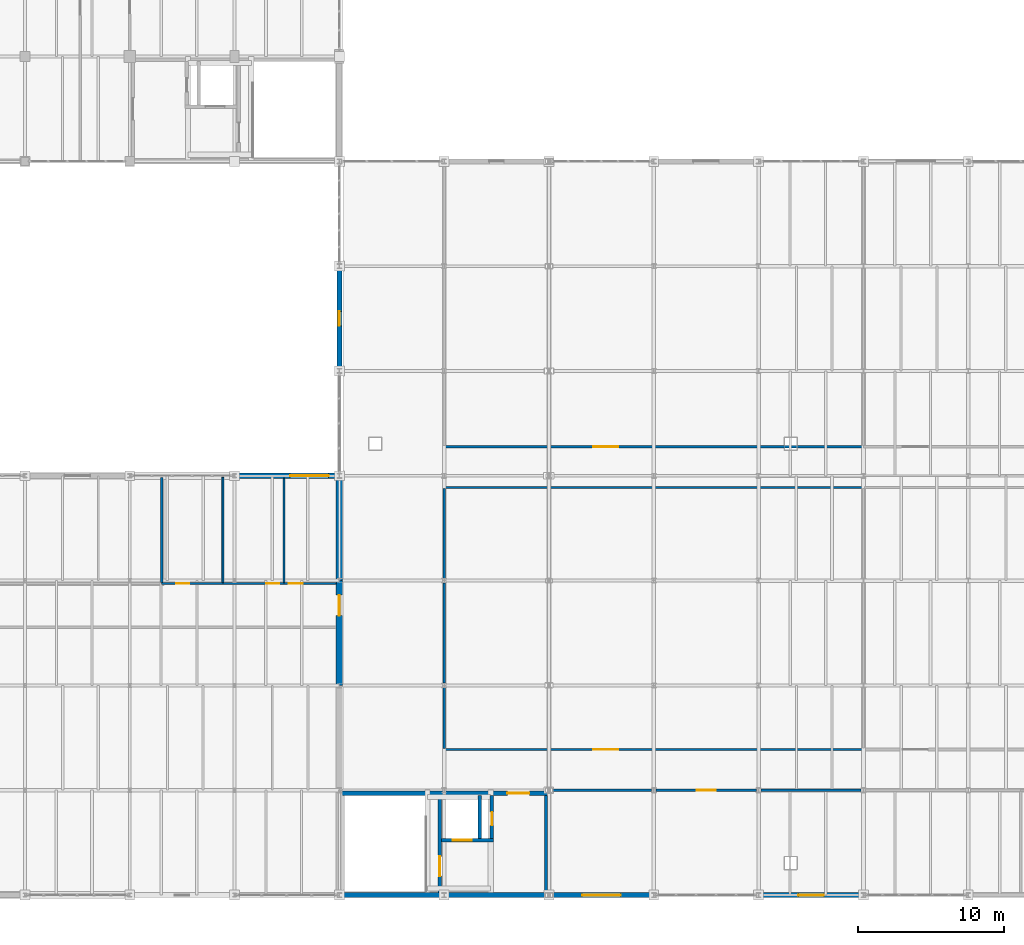
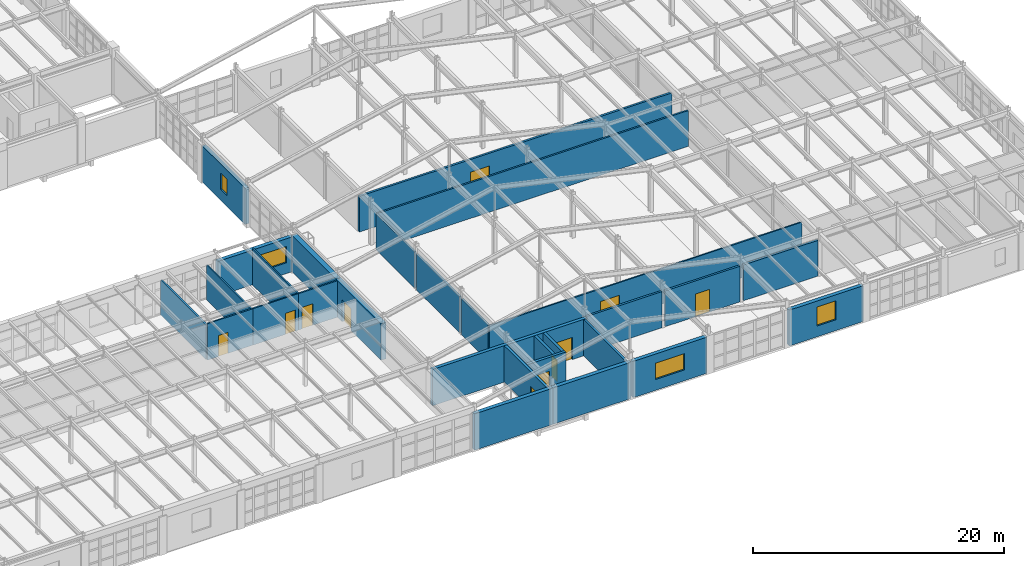
# One storey, part 129 of 137: 29 walls, 11 doors, 4 windows, 15 openings.
"""IFC4 building model written with IfcOpenShell, lengths in metres."""

from ifc_helpers import new_model, si_unit, direction, frame, frame_2d, origin, place, context, subcontext, project, spatial, rectangle, extrude, material, layer, layer_set, type_object, element, fill, save


model = new_model("IFC4")

# Units and contexts
model_context = context("Model", 3, precision=1e-05, world=origin(), true_north=direction((0.0, 1.0)))
body_context = subcontext(model_context, "Body", "Model", "MODEL_VIEW")
ifc_project = project(units=[si_unit("LENGTHUNIT", "METRE"), si_unit("AREAUNIT", "SQUARE_METRE"), si_unit("VOLUMEUNIT", "CUBIC_METRE"), si_unit("PLANEANGLEUNIT", "RADIAN"), si_unit("MASSUNIT", "GRAM", prefix="KILO")], contexts=[model_context])

# Site, building, storey
site_placement = place(None, origin())
site = spatial("IfcSite", under=ifc_project, at=site_placement, CompositionType="ELEMENT")
building_placement = place(site_placement, origin())
building = spatial("IfcBuilding", under=site, at=building_placement, Name="Kemerveld Promenade Tramway Depot", CompositionType="ELEMENT")
storey_placement = place(building_placement, frame((0.0, 0.0, 5.39990234375)))
storey = spatial("IfcBuildingStorey", under=building, at=storey_placement, Name="L01", CompositionType="ELEMENT", Elevation=5.39990234375)

# Wall, opening, door
ifc_material_1 = material(Name="Concrete C40/50", Category="concrete")
ifc_layer_1 = layer(ifc_material_1, 0.25)
ifc_layer_set_1 = layer_set([ifc_layer_1], Name="WL-CORE-250")
wall_type_1 = type_object("IfcWallType", Name="WL-CORE-250", PredefinedType="SHEAR", material=ifc_layer_set_1)
wall_1_placement = place(storey_placement, frame((165.300048828125, 0.179931640625, 0.0), z_axis=(0.0, 0.0, 1.0), x_axis=(0.0, 1.0, 0.0)))
wall_1 = element("IfcWall", 1, at=wall_1_placement, inside=storey, type_object=wall_type_1, Name="WL-C5-L01-SDIV", PredefinedType="SHEAR", context=body_context, shape_type="SweptSolid", body=[
    extrude(rectangle(XDim=6.670166015625, YDim=0.25, at=frame_2d((3.3349609375, 0.0))), origin(), (0.0, 0.0, 1.0), 3.550048828125),
])
opening_1_placement = place(wall_1_placement, frame((1.1201171875, 0.0, 0.0)))
opening_1 = element("IfcOpeningElement", 2, at=opening_1_placement, cuts=wall_1, Name="Opening D-573", PredefinedType="OPENING", context=body_context, shape_type="SweptSolid", body=[
    extrude(rectangle(XDim=1.35009765625, YDim=2.14990234375, at=frame_2d((0.675048828125, 1.074951171875))), frame((0.0, 0.135009765625, 0.0), z_axis=(0.0, -1.0, 0.0), x_axis=(1.0, 0.0, 0.0)), (0.0, 0.0, 1.0), 0.27001953125),
])
ifc_material_2 = material(Name="Galvanised steel fire stair door", Category="steel")
door_type_1 = type_object("IfcDoorType", Name="DR-FD120", OperationType="NOTDEFINED", PredefinedType="DOOR", material=ifc_material_2)
door_1_placement = place(opening_1_placement, origin())
door_1 = element("IfcDoor", 3, at=door_1_placement, inside=storey, type_object=door_type_1, Name="DR-C5-L01-STAIR", OperationType="SINGLE_SWING_RIGHT", OverallHeight=2.14990234375, OverallWidth=1.35009765625, PredefinedType="DOOR", context=body_context, shape_type="SweptSolid", body=[
    extrude(rectangle(XDim=1.35009765625, YDim=2.14990234375, at=frame_2d((0.675048828125, 1.074951171875))), frame((0.0, 0.02490234375, 0.0), z_axis=(0.0, -1.0, 0.0), x_axis=(1.0, 0.0, 0.0)), (0.0, 0.0, 1.0), 0.050048828125),
])
fill(opening_1, door_1)

wall_2_placement = place(storey_placement, frame((165.425048828125, 3.760009765625, 0.0), z_axis=(0.0, 0.0, 1.0), x_axis=(1.0, 0.0, 0.0)))
wall_2 = element("IfcWall", 4, at=wall_2_placement, inside=storey, type_object=wall_type_1, Name="WL-C5-L01-LSHS", PredefinedType="SHEAR", context=body_context, shape_type="SweptSolid", body=[
    extrude(rectangle(XDim=3.579833984375, YDim=0.25, at=frame_2d((1.7900390625, 0.0))), origin(), (0.0, 0.0, 1.0), 3.550048828125),
])
opening_2_placement = place(wall_2_placement, frame((0.77490234375, 0.0, 0.0)))
opening_2 = element("IfcOpeningElement", 5, at=opening_2_placement, cuts=wall_2, Name="Opening LD-574", PredefinedType="OPENING", context=body_context, shape_type="SweptSolid", body=[
    extrude(rectangle(XDim=1.300048828125, YDim=2.199951171875, at=frame_2d((0.64990234375, 1.10009765625))), frame((0.0, 0.135009765625, 0.0), z_axis=(0.0, -1.0, 0.0), x_axis=(1.0, 0.0, 0.0)), (0.0, 0.0, 1.0), 0.27001953125),
])
ifc_material_3 = material(Name="Heavy-duty goods lift sliding landing door")
door_type_2 = type_object("IfcDoorType", Name="DR-LD02", OperationType="SLIDING_TO_LEFT", PredefinedType="DOOR", material=ifc_material_3)
door_2_placement = place(opening_2_placement, origin())
door_2 = element("IfcDoor", 6, at=door_2_placement, inside=storey, type_object=door_type_2, Name="DR-C5-L01-LIFT", OperationType="SLIDING_TO_LEFT", OverallHeight=2.199951171875, OverallWidth=1.300048828125, PredefinedType="DOOR", context=body_context, shape_type="SweptSolid", body=[
    extrude(rectangle(XDim=1.300048828125, YDim=2.199951171875, at=frame_2d((0.64990234375, 1.10009765625))), frame((0.0, 0.02490234375, 0.0), z_axis=(0.0, -1.0, 0.0), x_axis=(1.0, 0.0, 0.0)), (0.0, 0.0, 1.0), 0.050048828125),
])
fill(opening_2, door_2)

# Wall
wall_3_placement = place(storey_placement, frame((168.050048828125, 3.885009765625, 0.0), z_axis=(0.0, 0.0, 1.0), x_axis=(0.0, 1.0, 0.0)))
element("IfcWall", 7, at=wall_3_placement, inside=storey, type_object=wall_type_1, Name="WL-C5-L01-LSHM", PredefinedType="SHEAR", context=body_context, shape_type="SweptSolid", body=[
    extrude(rectangle(XDim=2.965087890625, YDim=0.25, at=frame_2d((1.482421875, 0.0))), origin(), (0.0, 0.0, 1.0), 3.550048828125),
])

# Wall, opening, door
wall_4_placement = place(storey_placement, frame((168.8798828125, 3.885009765625, 0.0), z_axis=(0.0, 0.0, 1.0), x_axis=(0.0, 1.0, 0.0)))
wall_4 = element("IfcWall", 8, at=wall_4_placement, inside=storey, type_object=wall_type_1, Name="WL-C5-L01-LSHE", PredefinedType="SHEAR", context=body_context, shape_type="SweptSolid", body=[
    extrude(rectangle(XDim=2.965087890625, YDim=0.25, at=frame_2d((1.482421875, 0.0))), origin(), (0.0, 0.0, 1.0), 3.550048828125),
])
opening_3_placement = place(wall_4_placement, frame((0.89990234375, 0.0, 0.0)))
opening_3 = element("IfcOpeningElement", 9, at=opening_3_placement, cuts=wall_4, Name="Opening D-575", PredefinedType="OPENING", context=body_context, shape_type="SweptSolid", body=[
    extrude(rectangle(XDim=0.919921875, YDim=2.050048828125, at=frame_2d((0.4599609375, 1.02490234375))), frame((0.0, 0.135009765625, 0.0), z_axis=(0.0, -1.0, 0.0), x_axis=(1.0, 0.0, 0.0)), (0.0, 0.0, 1.0), 0.27001953125),
])
ifc_material_4 = material(Name="Steel riser shaft access fire door", Category="steel")
door_type_3 = type_object("IfcDoorType", Name="DR-RSR01", OperationType="NOTDEFINED", PredefinedType="DOOR", material=ifc_material_4)
door_3_placement = place(opening_3_placement, origin())
door_3 = element("IfcDoor", 10, at=door_3_placement, inside=storey, type_object=door_type_3, Name="DR-C5-L01-RISER", OperationType="SINGLE_SWING_LEFT", OverallHeight=2.050048828125, OverallWidth=0.919921875, PredefinedType="DOOR", context=body_context, shape_type="SweptSolid", body=[
    extrude(rectangle(XDim=0.919921875, YDim=2.050048828125, at=frame_2d((0.4599609375, 1.02490234375))), frame((0.0, 0.02490234375, 0.0), z_axis=(0.0, -1.0, 0.0), x_axis=(1.0, 0.0, 0.0)), (0.0, 0.0, 1.0), 0.050048828125),
])
fill(opening_3, door_3)

ifc_layer_2 = layer(ifc_material_1, 0.300048828125)
ifc_layer_set_2 = layer_set([ifc_layer_2], Name="WL-CORE-300")
wall_type_2 = type_object("IfcWallType", Name="WL-CORE-300", PredefinedType="SHEAR", material=ifc_layer_set_2)
wall_5_placement = place(storey_placement, frame((158.570068359375, 7.0, 0.0), z_axis=(0.0, 0.0, 1.0), x_axis=(1.0, 0.0, 0.0)))
wall_5 = element("IfcWall", 11, at=wall_5_placement, inside=storey, type_object=wall_type_2, Name="WL-C5-L01-N", PredefinedType="SHEAR", context=body_context, shape_type="SweptSolid", body=[
    extrude(rectangle(XDim=14.22998046875, YDim=0.300048828125, at=frame_2d((7.114990234375, 0.0))), origin(), (0.0, 0.0, 1.0), 3.550048828125),
])
opening_4_placement = place(wall_5_placement, frame((11.3798828125, 0.0, 0.0)))
opening_4 = element("IfcOpeningElement", 12, at=opening_4_placement, cuts=wall_5, Name="Opening D-576", PredefinedType="OPENING", context=body_context, shape_type="SweptSolid", body=[
    extrude(rectangle(XDim=1.5, YDim=2.14990234375, at=frame_2d((0.75, 1.074951171875))), frame((0.0, 0.159912109375, 0.0), z_axis=(0.0, -1.0, 0.0), x_axis=(1.0, 0.0, 0.0)), (0.0, 0.0, 1.0), 0.320068359375),
])
ifc_material_5 = material(Name="Timber-faced acoustic fire lobby door", Category="wood")
door_type_4 = type_object("IfcDoorType", Name="DR-FD60A", OperationType="NOTDEFINED", PredefinedType="DOOR", material=ifc_material_5)
door_4_placement = place(opening_4_placement, origin())
door_4 = element("IfcDoor", 13, at=door_4_placement, inside=storey, type_object=door_type_4, Name="DR-C5-L01-LOBBY", OperationType="SINGLE_SWING_RIGHT", OverallHeight=2.14990234375, OverallWidth=1.5, PredefinedType="DOOR", context=body_context, shape_type="SweptSolid", body=[
    extrude(rectangle(XDim=1.5, YDim=2.14990234375, at=frame_2d((0.75, 1.074951171875))), frame((0.0, 0.02490234375, 0.0), z_axis=(0.0, -1.0, 0.0), x_axis=(1.0, 0.0, 0.0)), (0.0, 0.0, 1.0), 0.050048828125),
])
fill(opening_4, door_4)

# Wall, opening, window
ifc_material_6 = material(Name="Banded granite and red-ochre clay brick masonry", Category="masonry")
ifc_layer_3 = layer(ifc_material_6, 0.35009765625)
ifc_layer_set_3 = layer_set([ifc_layer_3], Name="WL-EXT-350")
wall_type_3 = type_object("IfcWallType", Name="WL-EXT-350", PredefinedType="SOLIDWALL", material=ifc_layer_set_3)
wall_6_placement = place(storey_placement, frame((151.35009765625, 28.800048828125, 0.0), z_axis=(0.0, 0.0, 1.0), x_axis=(1.0, 0.0, 0.0)))
wall_6 = element("IfcWall", 14, at=wall_6_placement, inside=storey, type_object=wall_type_3, Name="WL-L01-V4N-14", PredefinedType="SOLIDWALL", context=body_context, shape_type="SweptSolid", body=[
    extrude(rectangle(XDim=6.872802734375, YDim=0.35009765625, at=frame_2d((3.4365234375, 0.0))), origin(), (0.0, 0.0, 1.0), 3.39013671875),
])
opening_5_placement = place(wall_6_placement, frame((3.660888671875, 0.0, 1.050048828125)))
opening_5 = element("IfcOpeningElement", 15, at=opening_5_placement, cuts=wall_6, Name="Opening W-169", PredefinedType="OPENING", context=body_context, shape_type="SweptSolid", body=[
    extrude(rectangle(XDim=2.64990234375, YDim=1.60009765625, at=frame_2d((1.324951171875, 0.800048828125))), frame((0.0, 0.18505859375, 0.0), z_axis=(0.0, -1.0, 0.0), x_axis=(1.0, 0.0, 0.0)), (0.0, 0.0, 1.0), 0.3701171875),
])
ifc_material_7 = material(Name="Bronze anodised aluminium and low-e glass", Category="aluminium")
window_type_1 = type_object("IfcWindowType", Name="WN-40", PartitioningType="SINGLE_PANEL", PredefinedType="WINDOW", material=ifc_material_7)
window_1_placement = place(opening_5_placement, origin())
window_1 = element("IfcWindow", 16, at=window_1_placement, inside=storey, type_object=window_type_1, Name="WN-L01-V4N-14", OverallHeight=1.60009765625, OverallWidth=2.64990234375, PartitioningType="SINGLE_PANEL", PredefinedType="WINDOW", context=body_context, shape_type="SweptSolid", body=[
    extrude(rectangle(XDim=2.64990234375, YDim=1.60009765625, at=frame_2d((1.324951171875, 0.800048828125))), frame((0.0, 0.030029296875, 0.0), z_axis=(0.0, -1.0, 0.0), x_axis=(1.0, 0.0, 0.0)), (0.0, 0.0, 1.0), 0.06005859375),
])
fill(opening_5, window_1)

wall_7_placement = place(storey_placement, frame((194.222900390625, 0.0, 0.0), z_axis=(0.0, 0.0, 1.0), x_axis=(-1.0, 0.0, 0.0)))
wall_7 = element("IfcWall", 17, at=wall_7_placement, inside=storey, type_object=wall_type_3, Name="WL-L01-V2S-04", PredefinedType="SOLIDWALL", context=body_context, shape_type="SweptSolid", body=[
    extrude(rectangle(XDim=6.845703125, YDim=0.35009765625, at=frame_2d((3.4228515625, 0.0))), origin(), (0.0, 0.0, 1.0), 3.49267578125),
])
opening_6_placement = place(wall_7_placement, frame((2.548095703125, 0.0, 1.050048828125)))
opening_6 = element("IfcOpeningElement", 18, at=opening_6_placement, cuts=wall_7, Name="Opening W-186", PredefinedType="OPENING", context=body_context, shape_type="SweptSolid", body=[
    extrude(rectangle(XDim=1.75, YDim=1.85009765625, at=frame_2d((0.875, 0.925048828125))), frame((0.0, 0.18505859375, 0.0), z_axis=(0.0, -1.0, 0.0), x_axis=(1.0, 0.0, 0.0)), (0.0, 0.0, 1.0), 0.3701171875),
])
window_type_2 = type_object("IfcWindowType", Name="WN-30", PartitioningType="SINGLE_PANEL", PredefinedType="WINDOW", material=ifc_material_7)
window_2_placement = place(opening_6_placement, origin())
window_2 = element("IfcWindow", 19, at=window_2_placement, inside=storey, type_object=window_type_2, Name="WN-L01-V2S-04", OverallHeight=1.85009765625, OverallWidth=1.75, PartitioningType="SINGLE_PANEL", PredefinedType="WINDOW", context=body_context, shape_type="SweptSolid", body=[
    extrude(rectangle(XDim=1.75, YDim=1.85009765625, at=frame_2d((0.875, 0.925048828125))), frame((0.0, 0.030029296875, 0.0), z_axis=(0.0, -1.0, 0.0), x_axis=(1.0, 0.0, 0.0)), (0.0, 0.0, 1.0), 0.06005859375),
])
fill(opening_6, window_2)

wall_8_placement = place(storey_placement, frame((179.82275390625, 0.0, 0.0), z_axis=(0.0, 0.0, 1.0), x_axis=(-1.0, 0.0, 0.0)))
wall_8 = element("IfcWall", 20, at=wall_8_placement, inside=storey, type_object=wall_type_3, Name="WL-L01-V2S-06", PredefinedType="SOLIDWALL", context=body_context, shape_type="SweptSolid", body=[
    extrude(rectangle(XDim=6.845458984375, YDim=0.35009765625, at=frame_2d((3.4228515625, 0.0))), origin(), (0.0, 0.0, 1.0), 3.53271484375),
])
opening_7_placement = place(wall_8_placement, frame((2.097900390625, 0.0, 1.050048828125)))
opening_7 = element("IfcOpeningElement", 21, at=opening_7_placement, cuts=wall_8, Name="Opening W-187", PredefinedType="OPENING", context=body_context, shape_type="SweptSolid", body=[
    extrude(rectangle(XDim=2.64990234375, YDim=1.60009765625, at=frame_2d((1.324951171875, 0.800048828125))), frame((0.0, 0.18505859375, 0.0), z_axis=(0.0, -1.0, 0.0), x_axis=(1.0, 0.0, 0.0)), (0.0, 0.0, 1.0), 0.3701171875),
])
window_3_placement = place(opening_7_placement, origin())
window_3 = element("IfcWindow", 22, at=window_3_placement, inside=storey, type_object=window_type_1, Name="WN-L01-V2S-06", OverallHeight=1.60009765625, OverallWidth=2.64990234375, PartitioningType="SINGLE_PANEL", PredefinedType="WINDOW", context=body_context, shape_type="SweptSolid", body=[
    extrude(rectangle(XDim=2.64990234375, YDim=1.60009765625, at=frame_2d((1.324951171875, 0.800048828125))), frame((0.0, 0.030029296875, 0.0), z_axis=(0.0, -1.0, 0.0), x_axis=(1.0, 0.0, 0.0)), (0.0, 0.0, 1.0), 0.06005859375),
])
fill(opening_7, window_3)

wall_9_placement = place(storey_placement, frame((158.39990234375, 36.17724609375, 0.0), z_axis=(0.0, 0.0, 1.0), x_axis=(0.0, 1.0, 0.0)))
wall_9 = element("IfcWall", 23, at=wall_9_placement, inside=storey, type_object=wall_type_3, Name="WL-L01-V2W-02", PredefinedType="SOLIDWALL", context=body_context, shape_type="SweptSolid", body=[
    extrude(rectangle(XDim=6.845458984375, YDim=0.35009765625, at=frame_2d((3.4228515625, 0.0))), origin(), (0.0, 0.0, 1.0), 3.53271484375),
])
opening_8_placement = place(wall_9_placement, frame((2.923095703125, 0.0, 1.050048828125)))
opening_8 = element("IfcOpeningElement", 24, at=opening_8_placement, cuts=wall_9, Name="Opening W-188", PredefinedType="OPENING", context=body_context, shape_type="SweptSolid", body=[
    extrude(rectangle(XDim=1.0, YDim=1.60009765625, at=frame_2d((0.5, 0.800048828125))), frame((0.0, 0.18505859375, 0.0), z_axis=(0.0, -1.0, 0.0), x_axis=(1.0, 0.0, 0.0)), (0.0, 0.0, 1.0), 0.3701171875),
])
window_type_3 = type_object("IfcWindowType", Name="WN-20", PartitioningType="SINGLE_PANEL", PredefinedType="WINDOW", material=ifc_material_7)
window_4_placement = place(opening_8_placement, origin())
window_4 = element("IfcWindow", 25, at=window_4_placement, inside=storey, type_object=window_type_3, Name="WN-L01-V2W-02", OverallHeight=1.60009765625, OverallWidth=1.0, PartitioningType="SINGLE_PANEL", PredefinedType="WINDOW", context=body_context, shape_type="SweptSolid", body=[
    extrude(rectangle(XDim=1.0, YDim=1.60009765625, at=frame_2d((0.5, 0.800048828125))), frame((0.0, 0.030029296875, 0.0), z_axis=(0.0, -1.0, 0.0), x_axis=(1.0, 0.0, 0.0)), (0.0, 0.0, 1.0), 0.06005859375),
])
fill(opening_8, window_4)

# Walls
ifc_layer_4 = layer(ifc_material_1, 0.360107421875)
ifc_layer_set_4 = layer_set([ifc_layer_4], Name="WL-EXT-CORE")
wall_type_4 = type_object("IfcWallType", Name="WL-EXT-CORE", PredefinedType="SHEAR", material=ifc_layer_set_4)
wall_10_placement = place(storey_placement, frame((172.800048828125, 0.0, 0.0), z_axis=(0.0, 0.0, 1.0), x_axis=(-1.0, 0.0, 0.0)))
element("IfcWall", 26, at=wall_10_placement, inside=storey, type_object=wall_type_4, Name="WL-L01-V2S-07", PredefinedType="SHEAR", context=body_context, shape_type="SweptSolid", body=[
    extrude(rectangle(XDim=7.199951171875, YDim=0.360107421875, at=frame_2d((3.60009765625, 0.0))), origin(), (0.0, 0.0, 1.0), 3.53271484375),
])
wall_11_placement = place(storey_placement, frame((165.60009765625, 0.0, 0.0), z_axis=(0.0, 0.0, 1.0), x_axis=(-1.0, 0.0, 0.0)))
element("IfcWall", 27, at=wall_11_placement, inside=storey, type_object=wall_type_4, Name="WL-L01-V2S-08", PredefinedType="SHEAR", context=body_context, shape_type="SweptSolid", body=[
    extrude(rectangle(XDim=7.2001953125, YDim=0.360107421875, at=frame_2d((3.60009765625, 0.0))), origin(), (0.0, 0.0, 1.0), 3.53271484375),
])

# Wall, opening, door
ifc_layer_5 = layer(ifc_material_1, 0.449951171875)
ifc_layer_set_5 = layer_set([ifc_layer_5], Name="WL-FIRE-450")
wall_type_5 = type_object("IfcWallType", Name="WL-FIRE-450", PredefinedType="SOLIDWALL", material=ifc_layer_set_5)
wall_12_placement = place(storey_placement, frame((158.39990234375, 14.39990234375, 0.0), z_axis=(0.0, 0.0, 1.0), x_axis=(0.0, 1.0, 0.0)))
wall_12 = element("IfcWall", 28, at=wall_12_placement, inside=storey, type_object=wall_type_5, Name="WL-FIRE-L01-F42-3", PredefinedType="SOLIDWALL", context=body_context, shape_type="SweptSolid", body=[
    extrude(rectangle(XDim=7.2001953125, YDim=0.449951171875, at=frame_2d((3.60009765625, 0.0))), origin(), (0.0, 0.0, 1.0), 3.552734375),
])
opening_9_placement = place(wall_12_placement, frame((4.800048828125, 0.0, 0.0)))
opening_9 = element("IfcOpeningElement", 29, at=opening_9_placement, cuts=wall_12, Name="Opening D-588", PredefinedType="OPENING", context=body_context, shape_type="SweptSolid", body=[
    extrude(rectangle(XDim=1.39990234375, YDim=2.14990234375, at=frame_2d((0.699951171875, 1.074951171875))), frame((0.0, 0.23486328125, 0.0), z_axis=(0.0, -1.0, 0.0), x_axis=(1.0, 0.0, 0.0)), (0.0, 0.0, 1.0), 0.469970703125),
])
ifc_material_8 = material(Name="Timber-faced fire corridor door", Category="wood")
door_type_5 = type_object("IfcDoorType", Name="DR-FD60B", OperationType="NOTDEFINED", PredefinedType="DOOR", material=ifc_material_8)
door_5_placement = place(opening_9_placement, origin())
door_5 = element("IfcDoor", 30, at=door_5_placement, inside=storey, type_object=door_type_5, Name="DR-LINK-L01-F42", OperationType="SINGLE_SWING_RIGHT", OverallHeight=2.14990234375, OverallWidth=1.39990234375, PredefinedType="DOOR", context=body_context, shape_type="SweptSolid", body=[
    extrude(rectangle(XDim=1.39990234375, YDim=2.14990234375, at=frame_2d((0.699951171875, 1.074951171875))), frame((0.0, 0.02490234375, 0.0), z_axis=(0.0, -1.0, 0.0), x_axis=(1.0, 0.0, 0.0)), (0.0, 0.0, 1.0), 0.050048828125),
])
fill(opening_9, door_5)

# Walls
wall_13_placement = place(storey_placement, frame((158.39990234375, 21.60009765625, 0.0), z_axis=(0.0, 0.0, 1.0), x_axis=(0.0, 1.0, 0.0)))
element("IfcWall", 31, at=wall_13_placement, inside=storey, type_object=wall_type_5, Name="WL-FIRE-L01-F42-4", PredefinedType="SOLIDWALL", context=body_context, shape_type="SweptSolid", body=[
    extrude(rectangle(XDim=7.046142578125, YDim=0.449951171875, at=frame_2d((3.52294921875, 0.0))), origin(), (0.0, 0.0, 1.0), 3.552734375),
])
ifc_material_9 = material(Name="Concrete blockwork C35/45", Category="masonry")
ifc_layer_6 = layer(ifc_material_9, 0.199951171875)
ifc_layer_set_6 = layer_set([ifc_layer_6], Name="WL-LOB-200")
wall_type_6 = type_object("IfcWallType", Name="WL-LOB-200", PredefinedType="SOLIDWALL", material=ifc_layer_set_6)
wall_14_placement = place(storey_placement, frame((172.60009765625, 0.179931640625, 0.0), z_axis=(0.0, 0.0, 1.0), x_axis=(0.0, 1.0, 0.0)))
element("IfcWall", 32, at=wall_14_placement, inside=storey, type_object=wall_type_6, Name="WL-C5-L01-E", PredefinedType="SOLIDWALL", context=body_context, shape_type="SweptSolid", body=[
    extrude(rectangle(XDim=6.670166015625, YDim=0.199951171875, at=frame_2d((3.3349609375, 0.0))), origin(), (0.0, 0.0, 1.0), 3.527587890625),
])

# Wall, opening, door
ifc_material_10 = material(Name="Moisture-resistant masonry partition", Category="masonry")
ifc_layer_7 = layer(ifc_material_10, 0.1298828125)
ifc_layer_set_7 = layer_set([ifc_layer_7], Name="WL-PRT-130")
wall_type_7 = type_object("IfcWallType", Name="WL-PRT-130", PredefinedType="PARTITIONING", material=ifc_layer_set_7)
wall_15_placement = place(storey_placement, frame((165.60009765625, 10.0, 0.0), z_axis=(0.0, 0.0, 1.0), x_axis=(1.0, 0.0, 0.0)))
wall_15 = element("IfcWall", 33, at=wall_15_placement, inside=storey, type_object=wall_type_7, Name="WL-PRT-RM-L01-V2-COMP", PredefinedType="PARTITIONING", context=body_context, shape_type="SweptSolid", body=[
    extrude(rectangle(XDim=28.7998046875, YDim=0.1298828125, at=frame_2d((14.39990234375, 0.0))), origin(), (0.0, 0.0, 1.0), 3.487548828125),
])
opening_10_placement = place(wall_15_placement, frame((10.22412109375, 0.0, 0.0)))
opening_10 = element("IfcOpeningElement", 34, at=opening_10_placement, cuts=wall_15, Name="Opening D-625", PredefinedType="OPENING", context=body_context, shape_type="SweptSolid", body=[
    extrude(rectangle(XDim=1.75, YDim=2.25, at=frame_2d((0.875, 1.125))), frame((0.0, 0.074951171875, 0.0), z_axis=(0.0, -1.0, 0.0), x_axis=(1.0, 0.0, 0.0)), (0.0, 0.0, 1.0), 0.14990234375),
])
ifc_material_11 = material(Name="Double workshop equipment door")
door_type_6 = type_object("IfcDoorType", Name="DR-INT06", OperationType="DOUBLE_SWING_LEFT", PredefinedType="DOOR", material=ifc_material_11)
door_6_placement = place(opening_10_placement, origin())
door_6 = element("IfcDoor", 35, at=door_6_placement, inside=storey, type_object=door_type_6, Name="DR-RM-RM-L01-V2-COMP", OperationType="DOUBLE_SWING_LEFT", OverallHeight=2.25, OverallWidth=1.75, PredefinedType="DOOR", context=body_context, shape_type="SweptSolid", body=[
    extrude(rectangle(XDim=1.75, YDim=2.25, at=frame_2d((0.875, 1.125))), frame((0.0, 0.02490234375, 0.0), z_axis=(0.0, -1.0, 0.0), x_axis=(1.0, 0.0, 0.0)), (0.0, 0.0, 1.0), 0.050048828125),
])
fill(opening_10, door_6)

wall_16_placement = place(storey_placement, frame((146.199951171875, 21.39990234375, 0.0), z_axis=(0.0, 0.0, 1.0), x_axis=(1.0, 0.0, 0.0)))
wall_16 = element("IfcWall", 36, at=wall_16_placement, inside=storey, type_object=wall_type_7, Name="WL-PRT-RM-L01-V4-WCM", PredefinedType="PARTITIONING", context=body_context, shape_type="SweptSolid", body=[
    extrude(rectangle(XDim=4.199951171875, YDim=0.1298828125, at=frame_2d((2.10009765625, 0.0))), origin(), (0.0, 0.0, 1.0), 3.550048828125),
])
opening_11_placement = place(wall_16_placement, frame((0.985107421875, 0.0, 0.0)))
opening_11 = element("IfcOpeningElement", 37, at=opening_11_placement, cuts=wall_16, Name="Opening D-640", PredefinedType="OPENING", context=body_context, shape_type="SweptSolid", body=[
    extrude(rectangle(XDim=0.89990234375, YDim=2.050048828125, at=frame_2d((0.449951171875, 1.02490234375))), frame((0.0, 0.074951171875, 0.0), z_axis=(0.0, -1.0, 0.0), x_axis=(1.0, 0.0, 0.0)), (0.0, 0.0, 1.0), 0.14990234375),
])
ifc_material_12 = material(Name="Moisture-resistant laminate WC door")
door_type_7 = type_object("IfcDoorType", Name="DR-WC01", OperationType="NOTDEFINED", PredefinedType="DOOR", material=ifc_material_12)
door_7_placement = place(opening_11_placement, origin())
door_7 = element("IfcDoor", 38, at=door_7_placement, inside=storey, type_object=door_type_7, Name="DR-RM-RM-L01-V4-WCM", OperationType="SINGLE_SWING_LEFT", OverallHeight=2.050048828125, OverallWidth=0.89990234375, PredefinedType="DOOR", context=body_context, shape_type="SweptSolid", body=[
    extrude(rectangle(XDim=0.89990234375, YDim=2.050048828125, at=frame_2d((0.449951171875, 1.02490234375))), frame((0.0, 0.02490234375, 0.0), z_axis=(0.0, -1.0, 0.0), x_axis=(1.0, 0.0, 0.0)), (0.0, 0.0, 1.0), 0.050048828125),
])
fill(opening_11, door_7)

wall_17_placement = place(storey_placement, frame((150.39990234375, 21.39990234375, 0.0), z_axis=(0.0, 0.0, 1.0), x_axis=(1.0, 0.0, 0.0)))
wall_17 = element("IfcWall", 39, at=wall_17_placement, inside=storey, type_object=wall_type_7, Name="WL-PRT-RM-L01-V4-WCF", PredefinedType="PARTITIONING", context=body_context, shape_type="SweptSolid", body=[
    extrude(rectangle(XDim=4.2001953125, YDim=0.1298828125, at=frame_2d((2.10009765625, 0.0))), origin(), (0.0, 0.0, 1.0), 3.550048828125),
])
opening_12_placement = place(wall_17_placement, frame((2.97998046875, 0.0, 0.0)))
opening_12 = element("IfcOpeningElement", 40, at=opening_12_placement, cuts=wall_17, Name="Opening D-641", PredefinedType="OPENING", context=body_context, shape_type="SweptSolid", body=[
    extrude(rectangle(XDim=0.89990234375, YDim=2.050048828125, at=frame_2d((0.449951171875, 1.02490234375))), frame((0.0, 0.074951171875, 0.0), z_axis=(0.0, -1.0, 0.0), x_axis=(1.0, 0.0, 0.0)), (0.0, 0.0, 1.0), 0.14990234375),
])
door_8_placement = place(opening_12_placement, origin())
door_8 = element("IfcDoor", 41, at=door_8_placement, inside=storey, type_object=door_type_7, Name="DR-RM-RM-L01-V4-WCF", OperationType="SINGLE_SWING_RIGHT", OverallHeight=2.050048828125, OverallWidth=0.89990234375, PredefinedType="DOOR", context=body_context, shape_type="SweptSolid", body=[
    extrude(rectangle(XDim=0.89990234375, YDim=2.050048828125, at=frame_2d((0.449951171875, 1.02490234375))), frame((0.0, 0.02490234375, 0.0), z_axis=(0.0, -1.0, 0.0), x_axis=(1.0, 0.0, 0.0)), (0.0, 0.0, 1.0), 0.050048828125),
])
fill(opening_12, door_8)

wall_18_placement = place(storey_placement, frame((154.60009765625, 21.39990234375, 0.0), z_axis=(0.0, 0.0, 1.0), x_axis=(1.0, 0.0, 0.0)))
wall_18 = element("IfcWall", 42, at=wall_18_placement, inside=storey, type_object=wall_type_7, Name="WL-PRT-RM-L01-V4-WCA", PredefinedType="PARTITIONING", context=body_context, shape_type="SweptSolid", body=[
    extrude(rectangle(XDim=3.574951171875, YDim=0.1298828125, at=frame_2d((1.78759765625, 0.0))), origin(), (0.0, 0.0, 1.0), 3.550048828125),
])
opening_13_placement = place(wall_18_placement, frame((0.320068359375, 0.0, 0.0)))
opening_13 = element("IfcOpeningElement", 43, at=opening_13_placement, cuts=wall_18, Name="Opening D-642", PredefinedType="OPENING", context=body_context, shape_type="SweptSolid", body=[
    extrude(rectangle(XDim=0.97998046875, YDim=2.10009765625, at=frame_2d((0.489990234375, 1.050048828125))), frame((0.0, 0.074951171875, 0.0), z_axis=(0.0, -1.0, 0.0), x_axis=(1.0, 0.0, 0.0)), (0.0, 0.0, 1.0), 0.14990234375),
])
ifc_material_13 = material(Name="Accessible WC outward-opening door")
door_type_8 = type_object("IfcDoorType", Name="DR-WCA1", OperationType="NOTDEFINED", PredefinedType="DOOR", material=ifc_material_13)
door_9_placement = place(opening_13_placement, origin())
door_9 = element("IfcDoor", 44, at=door_9_placement, inside=storey, type_object=door_type_8, Name="DR-RM-RM-L01-V4-WCA", OperationType="SINGLE_SWING_LEFT", OverallHeight=2.10009765625, OverallWidth=0.97998046875, PredefinedType="DOOR", context=body_context, shape_type="SweptSolid", body=[
    extrude(rectangle(XDim=0.97998046875, YDim=2.10009765625, at=frame_2d((0.489990234375, 1.050048828125))), frame((0.0, 0.02490234375, 0.0), z_axis=(0.0, -1.0, 0.0), x_axis=(1.0, 0.0, 0.0)), (0.0, 0.0, 1.0), 0.050048828125),
])
fill(opening_13, door_9)

# Walls
wall_19_placement = place(storey_placement, frame((150.39990234375, 21.465087890625, 0.0), z_axis=(0.0, 0.0, 1.0), x_axis=(0.0, 1.0, 0.0)))
element("IfcWall", 45, at=wall_19_placement, inside=storey, type_object=wall_type_7, Name="WL-DIV-L01-026", PredefinedType="PARTITIONING", context=body_context, shape_type="SweptSolid", body=[
    extrude(rectangle(XDim=7.23486328125, YDim=0.1298828125, at=frame_2d((3.617431640625, 0.0))), origin(), (0.0, 0.0, 1.0), 3.385009765625),
])
wall_20_placement = place(storey_placement, frame((154.60009765625, 21.465087890625, 0.0), z_axis=(0.0, 0.0, 1.0), x_axis=(0.0, 1.0, 0.0)))
element("IfcWall", 46, at=wall_20_placement, inside=storey, type_object=wall_type_7, Name="WL-DIV-L01-027", PredefinedType="PARTITIONING", context=body_context, shape_type="SweptSolid", body=[
    extrude(rectangle(XDim=7.159912109375, YDim=0.1298828125, at=frame_2d((3.580078125, 0.0))), origin(), (0.0, 0.0, 1.0), 3.550048828125),
])
ifc_material_14 = material(Name="Acoustic twin-stud gypsum partition")
ifc_layer_8 = layer(ifc_material_14, 0.159912109375)
ifc_layer_set_8 = layer_set([ifc_layer_8], Name="WL-PRT-160")
wall_type_8 = type_object("IfcWallType", Name="WL-PRT-160", PredefinedType="PARTITIONING", material=ifc_layer_set_8)
wall_21_placement = place(storey_placement, frame((165.60009765625, 10.06494140625, 0.0), z_axis=(0.0, 0.0, 1.0), x_axis=(0.0, 1.0, 0.0)))
element("IfcWall", 47, at=wall_21_placement, inside=storey, type_object=wall_type_8, Name="WL-DIV-L01-001", PredefinedType="PARTITIONING", context=body_context, shape_type="SweptSolid", body=[
    extrude(rectangle(XDim=4.176025390625, YDim=0.159912109375, at=frame_2d((2.087890625, 0.0))), origin(), (0.0, 0.0, 1.0), 3.527587890625),
])
wall_22_placement = place(storey_placement, frame((165.60009765625, 14.55908203125, 0.0), z_axis=(0.0, 0.0, 1.0), x_axis=(0.0, 1.0, 0.0)))
element("IfcWall", 48, at=wall_22_placement, inside=storey, type_object=wall_type_8, Name="WL-DIV-L01-002", PredefinedType="PARTITIONING", context=body_context, shape_type="SweptSolid", body=[
    extrude(rectangle(XDim=6.8818359375, YDim=0.159912109375, at=frame_2d((3.44091796875, 0.0))), origin(), (0.0, 0.0, 1.0), 3.527587890625),
])
wall_23_placement = place(storey_placement, frame((165.60009765625, 21.759033203125, 0.0), z_axis=(0.0, 0.0, 1.0), x_axis=(0.0, 1.0, 0.0)))
element("IfcWall", 49, at=wall_23_placement, inside=storey, type_object=wall_type_8, Name="WL-DIV-L01-003", PredefinedType="PARTITIONING", context=body_context, shape_type="SweptSolid", body=[
    extrude(rectangle(XDim=6.160888671875, YDim=0.159912109375, at=frame_2d((3.08056640625, 0.0))), origin(), (0.0, 0.0, 1.0), 3.527587890625),
])
wall_24_placement = place(storey_placement, frame((165.679931640625, 28.0, 0.0), z_axis=(0.0, 0.0, 1.0), x_axis=(1.0, 0.0, 0.0)))
element("IfcWall", 50, at=wall_24_placement, inside=storey, type_object=wall_type_8, Name="WL-DIV-L01-007", PredefinedType="PARTITIONING", context=body_context, shape_type="SweptSolid", body=[
    extrude(rectangle(XDim=28.64013671875, YDim=0.159912109375, at=frame_2d((14.320068359375, 0.0))), origin(), (0.0, 0.0, 1.0), 3.487548828125),
])
wall_25_placement = place(storey_placement, frame((146.199951171875, 21.465087890625, 0.0), z_axis=(0.0, 0.0, 1.0), x_axis=(0.0, 1.0, 0.0)))
element("IfcWall", 51, at=wall_25_placement, inside=storey, type_object=wall_type_8, Name="WL-DIV-L01-025", PredefinedType="PARTITIONING", context=body_context, shape_type="SweptSolid", body=[
    extrude(rectangle(XDim=7.23486328125, YDim=0.159912109375, at=frame_2d((3.617431640625, 0.0))), origin(), (0.0, 0.0, 1.0), 3.385009765625),
])

# Wall, opening, door
ifc_material_15 = material(Name="Plant and substation fire partition")
ifc_layer_9 = layer(ifc_material_15, 0.18994140625)
ifc_layer_set_9 = layer_set([ifc_layer_9], Name="WL-PRT-190")
wall_type_9 = type_object("IfcWallType", Name="WL-PRT-190", PredefinedType="PARTITIONING", material=ifc_layer_set_9)
wall_26_placement = place(storey_placement, frame((165.60009765625, 30.800048828125, 0.0), z_axis=(0.0, 0.0, 1.0), x_axis=(1.0, 0.0, 0.0)))
wall_26 = element("IfcWall", 52, at=wall_26_placement, inside=storey, type_object=wall_type_9, Name="WL-PRT-RM-L01-V2-AVIO", PredefinedType="PARTITIONING", context=body_context, shape_type="SweptSolid", body=[
    extrude(rectangle(XDim=28.7998046875, YDim=0.18994140625, at=frame_2d((14.39990234375, 0.0))), origin(), (0.0, 0.0, 1.0), 3.487548828125),
])
opening_14_placement = place(wall_26_placement, frame((10.22412109375, 0.0, 0.0)))
opening_14 = element("IfcOpeningElement", 53, at=opening_14_placement, cuts=wall_26, Name="Opening D-627", PredefinedType="OPENING", context=body_context, shape_type="SweptSolid", body=[
    extrude(rectangle(XDim=1.75, YDim=2.25, at=frame_2d((0.875, 1.125))), frame((0.0, 0.10498046875, 0.0), z_axis=(0.0, -1.0, 0.0), x_axis=(1.0, 0.0, 0.0)), (0.0, 0.0, 1.0), 0.2099609375),
])
door_10_placement = place(opening_14_placement, origin())
door_10 = element("IfcDoor", 54, at=door_10_placement, inside=storey, type_object=door_type_6, Name="DR-RM-RM-L01-V2-AVIO", OperationType="DOUBLE_SWING_LEFT", OverallHeight=2.25, OverallWidth=1.75, PredefinedType="DOOR", context=body_context, shape_type="SweptSolid", body=[
    extrude(rectangle(XDim=1.75, YDim=2.25, at=frame_2d((0.875, 1.125))), frame((0.0, 0.02490234375, 0.0), z_axis=(0.0, -1.0, 0.0), x_axis=(1.0, 0.0, 0.0)), (0.0, 0.0, 1.0), 0.050048828125),
])
fill(opening_14, door_10)

# Wall
wall_27_placement = place(storey_placement, frame((172.9560546875, 7.199951171875, 0.0), z_axis=(0.0, 0.0, 1.0), x_axis=(1.0, 0.0, 0.0)))
element("IfcWall", 55, at=wall_27_placement, inside=storey, type_object=wall_type_9, Name="WL-PRT-RM-L01-V2-SPARE-S1", PredefinedType="PARTITIONING", context=body_context, shape_type="SweptSolid", body=[
    extrude(rectangle(XDim=6.887939453125, YDim=0.18994140625, at=frame_2d((3.44384765625, 0.0))), origin(), (0.0, 0.0, 1.0), 3.527587890625),
])

# Wall, opening, door
wall_28_placement = place(storey_placement, frame((180.156005859375, 7.199951171875, 0.0), z_axis=(0.0, 0.0, 1.0), x_axis=(1.0, 0.0, 0.0)))
wall_28 = element("IfcWall", 56, at=wall_28_placement, inside=storey, type_object=wall_type_9, Name="WL-PRT-RM-L01-V2-SPARE", PredefinedType="PARTITIONING", context=body_context, shape_type="SweptSolid", body=[
    extrude(rectangle(XDim=6.887939453125, YDim=0.18994140625, at=frame_2d((3.44384765625, 0.0))), origin(), (0.0, 0.0, 1.0), 3.487548828125),
])
opening_15_placement = place(wall_28_placement, frame((2.783935546875, 0.0, 0.0)))
opening_15 = element("IfcOpeningElement", 57, at=opening_15_placement, cuts=wall_28, Name="Opening D-629", PredefinedType="OPENING", context=body_context, shape_type="SweptSolid", body=[
    extrude(rectangle(XDim=1.320068359375, YDim=2.199951171875, at=frame_2d((0.66015625, 1.10009765625))), frame((0.0, 0.10498046875, 0.0), z_axis=(0.0, -1.0, 0.0), x_axis=(1.0, 0.0, 0.0)), (0.0, 0.0, 1.0), 0.2099609375),
])
ifc_material_16 = material(Name="Wide clinic treatment door")
door_type_9 = type_object("IfcDoorType", Name="DR-INT16", OperationType="NOTDEFINED", PredefinedType="DOOR", material=ifc_material_16)
door_11_placement = place(opening_15_placement, origin())
door_11 = element("IfcDoor", 58, at=door_11_placement, inside=storey, type_object=door_type_9, Name="DR-RM-RM-L01-V2-SPARE", OperationType="SINGLE_SWING_LEFT", OverallHeight=2.199951171875, OverallWidth=1.320068359375, PredefinedType="DOOR", context=body_context, shape_type="SweptSolid", body=[
    extrude(rectangle(XDim=1.320068359375, YDim=2.199951171875, at=frame_2d((0.66015625, 1.10009765625))), frame((0.0, 0.02490234375, 0.0), z_axis=(0.0, -1.0, 0.0), x_axis=(1.0, 0.0, 0.0)), (0.0, 0.0, 1.0), 0.050048828125),
])
fill(opening_15, door_11)

# Wall
wall_29_placement = place(storey_placement, frame((187.35595703125, 7.199951171875, 0.0), z_axis=(0.0, 0.0, 1.0), x_axis=(1.0, 0.0, 0.0)))
element("IfcWall", 59, at=wall_29_placement, inside=storey, type_object=wall_type_9, Name="WL-PRT-RM-L01-V2-SPARE-S3", PredefinedType="PARTITIONING", context=body_context, shape_type="SweptSolid", body=[
    extrude(rectangle(XDim=6.887939453125, YDim=0.18994140625, at=frame_2d((3.44384765625, 0.0))), origin(), (0.0, 0.0, 1.0), 3.487548828125),
])

save(model, "model.ifc")
